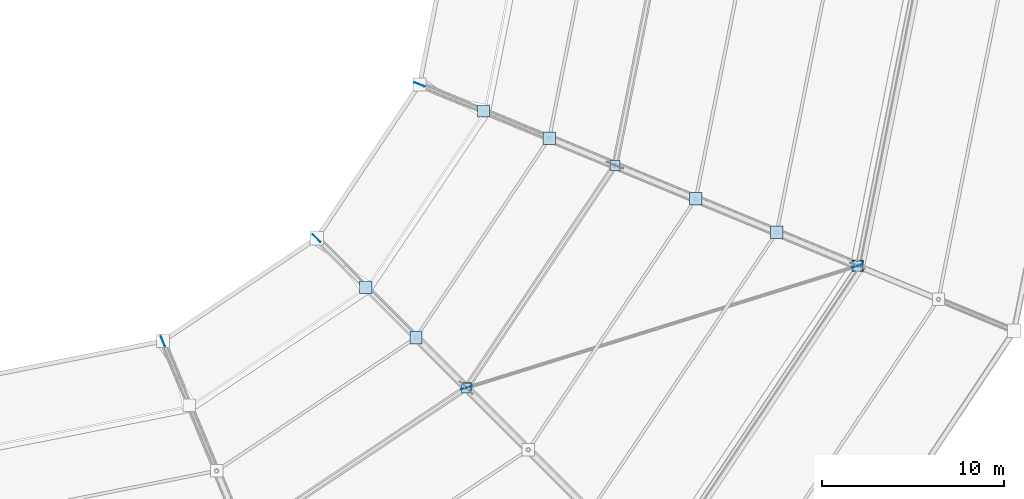
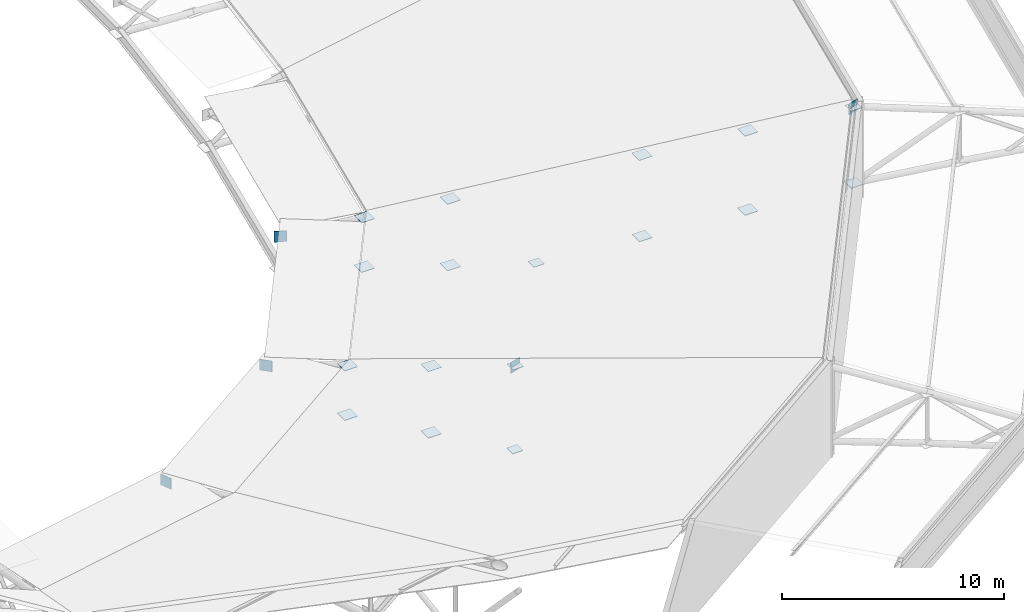
# One storey, part 137 of 146: 22 plates.
"""IFC4 building model written with IfcOpenShell, lengths in metres."""

from ifc_helpers import new_model, si_unit, direction, frame, origin, origin_2d, place, context, subcontext, project, spatial, rectangle, extrude, material, layer, layer_set, type_object, element, save


model = new_model("IFC4")

# Units and contexts
model_context = context("Model", 3, precision=1e-05, world=origin(), true_north=direction((0.0, 1.0)))
body_context = subcontext(model_context, "Body", "Model", "MODEL_VIEW")
ifc_project = project(units=[si_unit("LENGTHUNIT", "METRE"), si_unit("AREAUNIT", "SQUARE_METRE"), si_unit("VOLUMEUNIT", "CUBIC_METRE"), si_unit("PLANEANGLEUNIT", "RADIAN"), si_unit("MASSUNIT", "GRAM", prefix="KILO")], contexts=[model_context])

# Site, building, storey
site_placement = place(None, origin())
site = spatial("IfcSite", under=ifc_project, at=site_placement, CompositionType="ELEMENT")
building_placement = place(site_placement, origin())
building = spatial("IfcBuilding", under=site, at=building_placement, Name="Candeia Ridge Stadium", CompositionType="ELEMENT")
storey_placement = place(building_placement, frame((0.0, 0.0, 31.800048828125)))
storey = spatial("IfcBuildingStorey", under=building, at=storey_placement, Name="RF", CompositionType="ELEMENT", Elevation=31.800048828125)

# Plates
ifc_material = material(Name="Steel ASTM A572 Grade 50", Category="steel")
ifc_layer_1 = layer(ifc_material, 0.02490234375, Name="Steel ASTM A572 Grade 50", Category="steel")
ifc_layer_set_1 = layer_set([ifc_layer_1], Name="Steel ASTM A572 Grade 50")
plate_type_1 = type_object("IfcPlateType", Name="Hollow Section End Closure Plate CP1", PredefinedType="SHEET", material=ifc_layer_set_1)
for number, where, z_axis, x_axis, name in (
    (1, (167.587158203125, 44.412841796875, -2.676513671875), (0.0, 0.0, 1.0), (1.0, 0.0, 0.0), "Hollow section end closure plate MCAP-T-BC-MD-27"),
    (2, (175.73779296875, 56.611083984375, -2.676513671875), (0.0, 0.0, 1.0), (1.0, 0.0, 0.0), "Hollow section end closure plate MCAP-T-BC-MD-28"),
):
    element("IfcPlate", number, at=place(storey_placement, frame(where, z_axis=z_axis, x_axis=x_axis)), inside=storey, type_object=plate_type_1, Name=name, PredefinedType="SHEET", context=body_context, shape_type="SweptSolid", body=[
        extrude(rectangle(XDim=0.5400390625, YDim=0.5400390625, at=origin_2d()), origin(), (0.0, 0.0, 1.0), 0.02490234375),
    ])
plate_placement = place(storey_placement, frame((189.041748046875, 51.100341796875, 0.387451171875), z_axis=(0.0, 0.0, 1.0), x_axis=(1.0, 0.0, 0.0)))
element("IfcPlate", 3, at=plate_placement, inside=storey, type_object=plate_type_1, Name="Hollow section end closure plate MCAP-T-BC-OU-28", PredefinedType="SHEET", context=body_context, shape_type="SweptSolid", body=[
    extrude(rectangle(XDim=0.639892578125, YDim=0.639892578125, at=origin_2d()), origin(), (0.0, 0.0, 1.0), 0.02490234375),
])
ifc_layer_2 = layer(ifc_material, 0.02490234375, Name="Steel ASTM A572 Grade 50", Category="steel")
ifc_layer_set_2 = layer_set([ifc_layer_2], Name="Steel ASTM A572 Grade 50")
plate_type_2 = type_object("IfcPlateType", Name="Hollow Section End Closure Plate CP3", PredefinedType="SHEET", material=ifc_layer_set_2)
for number, where, z_axis, x_axis, name in (
    (4, (162.07177734375, 49.92822265625, 0.530517578125), (0.0, 0.0, 1.0), (1.0, 0.0, 0.0), "Hollow section end closure plate NCAP-T-27-1"),
    (5, (162.07177734375, 49.92822265625, -2.186767578125), (0.0, 0.0, 1.0), (1.0, 0.0, 0.0), "Hollow section end closure plate NCAP-B-27-1"),
    (6, (164.82958984375, 47.17041015625, 1.201904296875), (0.0, 0.0, 1.0), (1.0, 0.0, 0.0), "Hollow section end closure plate NCAP-T-27-2"),
    (7, (164.82958984375, 47.17041015625, -2.45654296875), (0.0, 0.0, 1.0), (1.0, 0.0, 0.0), "Hollow section end closure plate NCAP-B-27-2"),
):
    element("IfcPlate", number, at=place(storey_placement, frame(where, z_axis=z_axis, x_axis=x_axis)), inside=storey, type_object=plate_type_2, Name=name, PredefinedType="SHEET", context=body_context, shape_type="SweptSolid", body=[
        extrude(rectangle(XDim=0.679931640625, YDim=0.679931640625, at=origin_2d()), origin(), (0.0, 0.0, 1.0), 0.02490234375),
    ])
for number, where, z_axis, x_axis, name in (
    (8, (167.606201171875, 44.418701171875, 1.92578125), (0.0, 0.0, 1.0), (1.0, 0.0, 0.0), "Hollow section end closure plate WBCAP-A-27"),
    (9, (189.022705078125, 51.094482421875, 4.585205078125), (0.0, 0.0, 1.0), (1.0, 0.0, 0.0), "Hollow section end closure plate WBCAP-B-27"),
):
    element("IfcPlate", number, at=place(storey_placement, frame(where, z_axis=z_axis, x_axis=x_axis)), inside=storey, type_object=plate_type_2, Name=name, PredefinedType="SHEET", context=body_context, shape_type="SweptSolid", body=[
        extrude(rectangle(XDim=0.550048828125, YDim=0.550048828125, at=origin_2d()), origin(), (0.0, 0.0, 1.0), 0.02490234375),
    ])
for number, where, z_axis, x_axis, name in (
    (10, (168.531494140625, 59.595947265625, 0.530517578125), (0.0, 0.0, 1.0), (1.0, 0.0, 0.0), "Hollow section end closure plate NCAP-T-28-1"),
    (11, (168.531494140625, 59.595947265625, -2.186767578125), (0.0, 0.0, 1.0), (1.0, 0.0, 0.0), "Hollow section end closure plate NCAP-B-28-1"),
    (12, (172.134765625, 58.103515625, 1.201904296875), (0.0, 0.0, 1.0), (1.0, 0.0, 0.0), "Hollow section end closure plate NCAP-T-28-2"),
    (13, (172.134765625, 58.103515625, -2.45654296875), (0.0, 0.0, 1.0), (1.0, 0.0, 0.0), "Hollow section end closure plate NCAP-B-28-2"),
    (14, (180.172607421875, 54.774169921875, 2.8115234375), (0.0, 0.0, 1.0), (1.0, 0.0, 0.0), "Hollow section end closure plate NCAP-T-28-4"),
    (15, (180.172607421875, 54.774169921875, -1.6552734375), (0.0, 0.0, 1.0), (1.0, 0.0, 0.0), "Hollow section end closure plate NCAP-B-28-4"),
    (16, (184.607177734375, 52.937255859375, 3.699462890625), (0.0, 0.0, 1.0), (1.0, 0.0, 0.0), "Hollow section end closure plate NCAP-T-28-5"),
    (17, (184.607177734375, 52.937255859375, -0.6337890625), (0.0, 0.0, 1.0), (1.0, 0.0, 0.0), "Hollow section end closure plate NCAP-B-28-5"),
):
    element("IfcPlate", number, at=place(storey_placement, frame(where, z_axis=z_axis, x_axis=x_axis)), inside=storey, type_object=plate_type_2, Name=name, PredefinedType="SHEET", context=body_context, shape_type="SweptSolid", body=[
        extrude(rectangle(XDim=0.679931640625, YDim=0.679931640625, at=origin_2d()), origin(), (0.0, 0.0, 1.0), 0.02490234375),
    ])
ifc_layer_3 = layer(ifc_material, 0.02392578125, Name="Steel ASTM A572 Grade 50", Category="steel")
ifc_layer_set_3 = layer_set([ifc_layer_3], Name="Steel ASTM A572 Grade 50")
plate_type_3 = type_object("IfcPlateType", Name="Roof Truss Chord-Web Node Gusset ND-3", PredefinedType="USERDEFINED", material=ifc_layer_set_3)
for number, where, z_axis, x_axis, name in (
    (18, (150.94970703125, 46.979248046875, -0.460205078125), (0.0, 0.0, 1.0), (0.382683433413, -0.923879532077, 0.0), "Roof truss tip gusset node ND-3 bay 27"),
    (19, (159.384765625, 52.615234375, -0.460205078125), (0.0, 0.0, 1.0), (0.707106781187, -0.707106781187, 0.0), "Roof truss tip gusset node ND-3 bay 28"),
    (20, (167.606201171875, 44.418701171875, 1.63818359375), (0.0, 0.0, 1.0), (0.954693302709, 0.297591494775, 0.0), "Roof wind brace end gusset A bay 28"),
    (21, (189.022705078125, 51.094482421875, 4.297607421875), (0.0, 0.0, 1.0), (0.954693302709, 0.297591494775, 0.0), "Roof wind brace end gusset B bay 28"),
    (22, (165.020751953125, 61.05029296875, -0.460205078125), (0.0, 0.0, 1.0), (0.923879532077, -0.382683433413, 0.0), "Roof truss tip gusset node ND-3 bay 29"),
):
    element("IfcPlate", number, at=place(storey_placement, frame(where, z_axis=z_axis, x_axis=x_axis)), inside=storey, type_object=plate_type_3, Name=name, ObjectType="GUSSET PLATE", PredefinedType="USERDEFINED", context=body_context, shape_type="SweptSolid", body=[
        extrude(rectangle(XDim=0.60009765625, YDim=0.02392578125, at=origin_2d()), origin(), (0.0, 0.0, 1.0), 0.60009765625),
    ])

save(model, "model.ifc")
